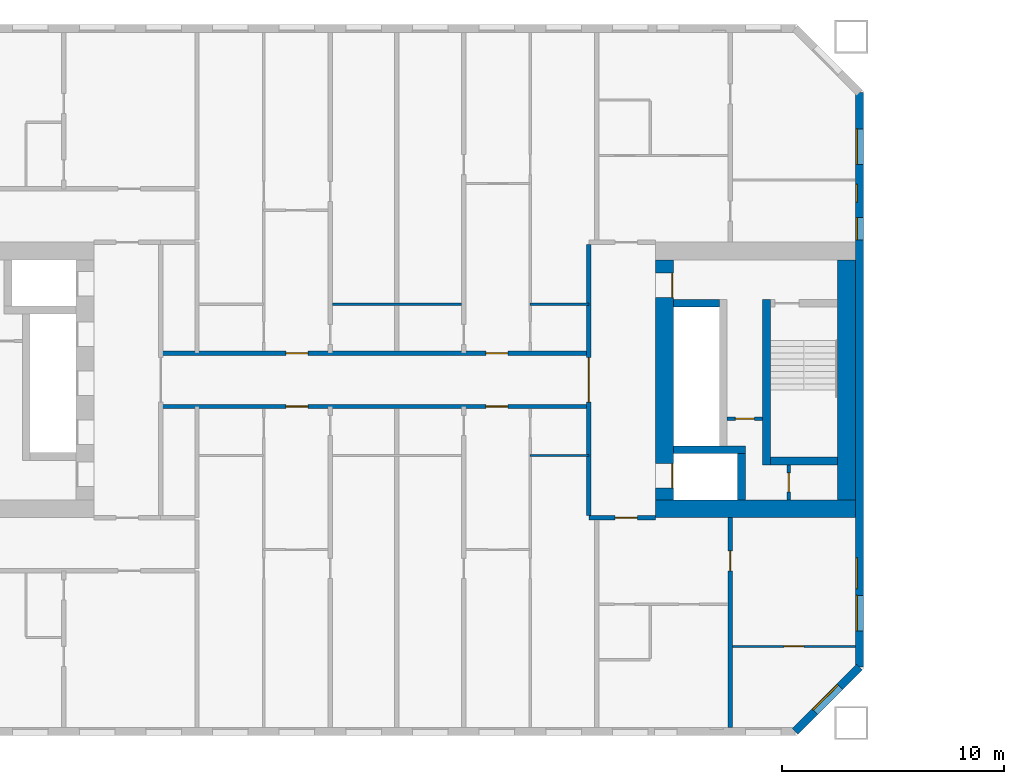
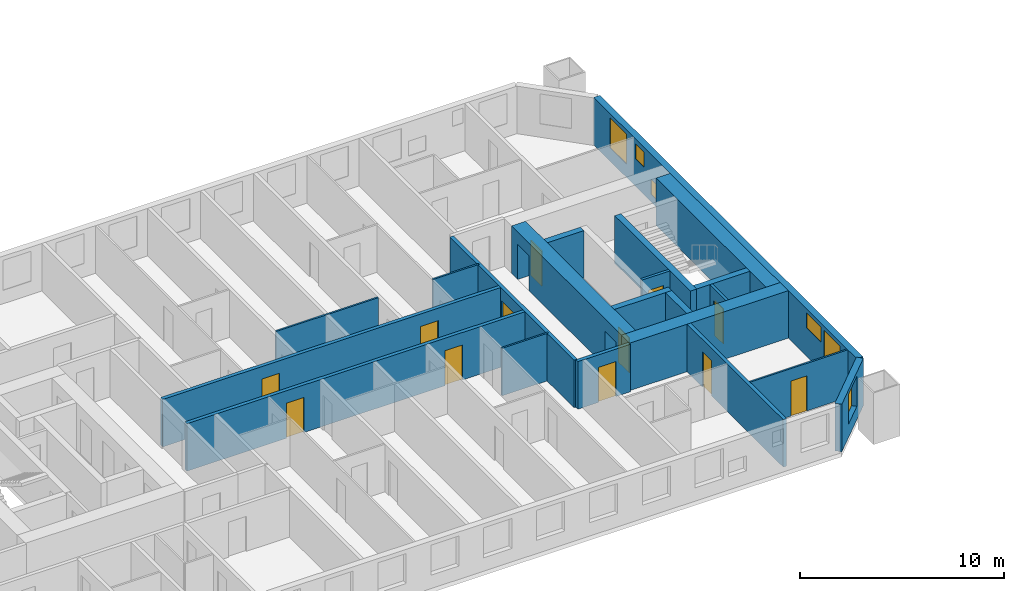
# One storey, part 7 of 17: 21 walls, 12 doors, 6 windows, 18 openings.
"""IFC4 building model written with IfcOpenShell, lengths in metres."""

from ifc_helpers import new_model, si_unit, direction, frame, frame_2d, origin, place, context, subcontext, project, spatial, rectangle, extrude, material, layer, layer_set, type_object, element, fill, save


model = new_model("IFC4")

# Units and contexts
model_context = context("Model", 3, precision=1e-05, world=origin(), true_north=direction((0.0, 1.0)))
body_context = subcontext(model_context, "Body", "Model", "MODEL_VIEW")
ifc_project = project(units=[si_unit("LENGTHUNIT", "METRE"), si_unit("AREAUNIT", "SQUARE_METRE"), si_unit("VOLUMEUNIT", "CUBIC_METRE"), si_unit("PLANEANGLEUNIT", "RADIAN"), si_unit("MASSUNIT", "GRAM", prefix="KILO")], contexts=[model_context])

# Site, building, storey
site_placement = place(None, origin())
site = spatial("IfcSite", under=ifc_project, at=site_placement, CompositionType="ELEMENT")
building_placement = place(site_placement, origin())
building = spatial("IfcBuilding", under=site, at=building_placement, Name="Tuart Gate Housing", CompositionType="ELEMENT")
storey_placement = place(building_placement, frame((0.0, 0.0, 47.39990234375)))
storey = spatial("IfcBuildingStorey", under=building, at=storey_placement, Name="L12", CompositionType="ELEMENT", Elevation=47.39990234375)

# Wall, opening, window
ifc_material_1 = material(Name="Brick", Category="masonry")
ifc_layer_1 = layer(ifc_material_1, 0.360107421875)
ifc_layer_set_1 = layer_set([ifc_layer_1], Name="Brick pier and spandrel wall 360")
wall_type_1 = type_object("IfcWallType", Name="Brick pier and spandrel wall 360", PredefinedType="STANDARD", material=ifc_layer_set_1)
wall_1_placement = place(storey_placement, frame((72.92529296875, 54.179931640625, 0.0), z_axis=(0.0, 0.0, 1.0), x_axis=(0.707106781187, 0.707106781187, 0.0)))
wall_1 = element("IfcWall", 1, at=wall_1_placement, inside=storey, type_object=wall_type_1, Name="External wall A-SE L12", PredefinedType="STANDARD", context=body_context, shape_type="SweptSolid", body=[
    extrude(rectangle(XDim=4.09375, YDim=0.360107421875, at=frame_2d((2.046875, 0.0))), origin(), (0.0, 0.0, 1.0), 2.85009765625),
])
opening_1_placement = place(wall_1_placement, frame((1.2470703125, 0.0, 0.800048828125)))
opening_1 = element("IfcOpeningElement", 2, at=opening_1_placement, cuts=wall_1, Name="Opening W1", PredefinedType="OPENING", context=body_context, shape_type="SweptSolid", body=[
    extrude(rectangle(XDim=1.60009765625, YDim=1.800048828125, at=frame_2d((0.800048828125, 0.89990234375))), frame((0.0, 0.18994140625, 0.0), z_axis=(0.0, -1.0, 0.0), x_axis=(1.0, 0.0, 0.0)), (0.0, 0.0, 1.0), 0.380126953125),
])
ifc_material_2 = material(Name="Aluminium frame with clear glass", Category="aluminium")
window_type_1 = type_object("IfcWindowType", Name="Punched window 1600 x 1800", PartitioningType="SINGLE_PANEL", PredefinedType="WINDOW", material=ifc_material_2)
window_1_placement = place(opening_1_placement, origin())
window_1 = element("IfcWindow", 3, at=window_1_placement, inside=storey, type_object=window_type_1, Name="Window W1", OverallHeight=1.800048828125, OverallWidth=1.60009765625, PartitioningType="SINGLE_PANEL", PredefinedType="WINDOW", context=body_context, shape_type="SweptSolid", body=[
    extrude(rectangle(XDim=1.60009765625, YDim=1.800048828125, at=frame_2d((0.800048828125, 0.89990234375))), frame((0.0, 0.150146484375, 0.0), z_axis=(0.0, -1.0, 0.0), x_axis=(1.0, 0.0, 0.0)), (0.0, 0.0, 1.0), 0.06005859375),
])
fill(opening_1, window_1)

# Wall, openings, windows
wall_2_placement = place(storey_placement, frame((75.820068359375, 57.07470703125, 0.0), z_axis=(0.0, 0.0, 1.0), x_axis=(0.0, 1.0, 0.0)))
wall_2 = element("IfcWall", 4, at=wall_2_placement, inside=storey, type_object=wall_type_1, Name="External wall A-E L12", PredefinedType="STANDARD", context=body_context, shape_type="SweptSolid", body=[
    extrude(rectangle(XDim=25.850830078125, YDim=0.360107421875, at=frame_2d((12.92529296875, 0.0))), origin(), (0.0, 0.0, 1.0), 2.85009765625),
])
opening_2_placement = place(wall_2_placement, frame((1.62548828125, 0.0, 0.800048828125)))
opening_2 = element("IfcOpeningElement", 5, at=opening_2_placement, cuts=wall_2, Name="Opening W1", PredefinedType="OPENING", context=body_context, shape_type="SweptSolid", body=[
    extrude(rectangle(XDim=1.60009765625, YDim=1.800048828125, at=frame_2d((0.800048828125, 0.89990234375))), frame((0.0, 0.18994140625, 0.0), z_axis=(0.0, -1.0, 0.0), x_axis=(1.0, 0.0, 0.0)), (0.0, 0.0, 1.0), 0.380126953125),
])
opening_3_placement = place(wall_2_placement, frame((3.525390625, 0.0, 1.699951171875)))
opening_3 = element("IfcOpeningElement", 6, at=opening_3_placement, cuts=wall_2, Name="Opening W1S", PredefinedType="OPENING", context=body_context, shape_type="SweptSolid", body=[
    extrude(rectangle(XDim=1.39990234375, YDim=0.89990234375, at=frame_2d((0.699951171875, 0.449951171875))), frame((0.0, 0.18994140625, 0.0), z_axis=(0.0, -1.0, 0.0), x_axis=(1.0, 0.0, 0.0)), (0.0, 0.0, 1.0), 0.380126953125),
])
opening_4_placement = place(wall_2_placement, frame((19.225341796875, 0.0, 0.449951171875)))
opening_4 = element("IfcOpeningElement", 7, at=opening_4_placement, cuts=wall_2, Name="Opening W1U", PredefinedType="OPENING", context=body_context, shape_type="SweptSolid", body=[
    extrude(rectangle(XDim=1.0, YDim=0.89990234375, at=frame_2d((0.5, 0.449951171875))), frame((0.0, 0.18994140625, 0.0), z_axis=(0.0, -1.0, 0.0), x_axis=(1.0, 0.0, 0.0)), (0.0, 0.0, 1.0), 0.380126953125),
])
opening_5_placement = place(wall_2_placement, frame((22.62548828125, 0.0, 0.800048828125)))
opening_5 = element("IfcOpeningElement", 8, at=opening_5_placement, cuts=wall_2, Name="Opening W1", PredefinedType="OPENING", context=body_context, shape_type="SweptSolid", body=[
    extrude(rectangle(XDim=1.60009765625, YDim=1.800048828125, at=frame_2d((0.800048828125, 0.89990234375))), frame((0.0, 0.18994140625, 0.0), z_axis=(0.0, -1.0, 0.0), x_axis=(1.0, 0.0, 0.0)), (0.0, 0.0, 1.0), 0.380126953125),
])
opening_6_placement = place(wall_2_placement, frame((20.92529296875, 0.0, 1.64990234375)))
opening_6 = element("IfcOpeningElement", 9, at=opening_6_placement, cuts=wall_2, Name="Opening W1V", PredefinedType="OPENING", context=body_context, shape_type="SweptSolid", body=[
    extrude(rectangle(XDim=0.800048828125, YDim=0.89990234375, at=frame_2d((0.39990234375, 0.449951171875))), frame((0.0, 0.18994140625, 0.0), z_axis=(0.0, -1.0, 0.0), x_axis=(1.0, 0.0, 0.0)), (0.0, 0.0, 1.0), 0.380126953125),
])
ifc_material_3 = material(Name="Aluminium frame with clear glass", Category="aluminium")
window_type_2 = type_object("IfcWindowType", Name="Punched window 1000 x 900", PartitioningType="SINGLE_PANEL", PredefinedType="WINDOW", material=ifc_material_3)
window_2_placement = place(opening_4_placement, origin())
window_2 = element("IfcWindow", 10, at=window_2_placement, inside=storey, type_object=window_type_2, Name="Window W1U", OverallHeight=0.89990234375, OverallWidth=1.0, PartitioningType="SINGLE_PANEL", PredefinedType="WINDOW", context=body_context, shape_type="SweptSolid", body=[
    extrude(rectangle(XDim=1.0, YDim=0.89990234375, at=frame_2d((0.5, 0.449951171875))), frame((0.0, 0.150146484375, 0.0), z_axis=(0.0, -1.0, 0.0), x_axis=(1.0, 0.0, 0.0)), (0.0, 0.0, 1.0), 0.06005859375),
])
fill(opening_4, window_2)
ifc_material_4 = material(Name="Aluminium frame with clear glass", Category="aluminium")
window_type_3 = type_object("IfcWindowType", Name="Punched window 1400 x 900", PartitioningType="SINGLE_PANEL", PredefinedType="WINDOW", material=ifc_material_4)
window_3_placement = place(opening_3_placement, origin())
window_3 = element("IfcWindow", 11, at=window_3_placement, inside=storey, type_object=window_type_3, Name="Window W1S", OverallHeight=0.89990234375, OverallWidth=1.39990234375, PartitioningType="SINGLE_PANEL", PredefinedType="WINDOW", context=body_context, shape_type="SweptSolid", body=[
    extrude(rectangle(XDim=1.39990234375, YDim=0.89990234375, at=frame_2d((0.699951171875, 0.449951171875))), frame((0.0, 0.150146484375, 0.0), z_axis=(0.0, -1.0, 0.0), x_axis=(1.0, 0.0, 0.0)), (0.0, 0.0, 1.0), 0.06005859375),
])
fill(opening_3, window_3)
window_4_placement = place(opening_2_placement, origin())
window_4 = element("IfcWindow", 12, at=window_4_placement, inside=storey, type_object=window_type_1, Name="Window W1", OverallHeight=1.800048828125, OverallWidth=1.60009765625, PartitioningType="SINGLE_PANEL", PredefinedType="WINDOW", context=body_context, shape_type="SweptSolid", body=[
    extrude(rectangle(XDim=1.60009765625, YDim=1.800048828125, at=frame_2d((0.800048828125, 0.89990234375))), frame((0.0, 0.150146484375, 0.0), z_axis=(0.0, -1.0, 0.0), x_axis=(1.0, 0.0, 0.0)), (0.0, 0.0, 1.0), 0.06005859375),
])
fill(opening_2, window_4)
window_5_placement = place(opening_5_placement, origin())
window_5 = element("IfcWindow", 13, at=window_5_placement, inside=storey, type_object=window_type_1, Name="Window W1", OverallHeight=1.800048828125, OverallWidth=1.60009765625, PartitioningType="SINGLE_PANEL", PredefinedType="WINDOW", context=body_context, shape_type="SweptSolid", body=[
    extrude(rectangle(XDim=1.60009765625, YDim=1.800048828125, at=frame_2d((0.800048828125, 0.89990234375))), frame((0.0, 0.150146484375, 0.0), z_axis=(0.0, -1.0, 0.0), x_axis=(1.0, 0.0, 0.0)), (0.0, 0.0, 1.0), 0.06005859375),
])
fill(opening_5, window_5)
ifc_material_5 = material(Name="Aluminium frame with clear glass", Category="aluminium")
window_type_4 = type_object("IfcWindowType", Name="Punched window 800 x 900", PartitioningType="SINGLE_PANEL", PredefinedType="WINDOW", material=ifc_material_5)
window_6_placement = place(opening_6_placement, origin())
window_6 = element("IfcWindow", 14, at=window_6_placement, inside=storey, type_object=window_type_4, Name="Window W1V", OverallHeight=0.89990234375, OverallWidth=0.800048828125, PartitioningType="SINGLE_PANEL", PredefinedType="WINDOW", context=body_context, shape_type="SweptSolid", body=[
    extrude(rectangle(XDim=0.800048828125, YDim=0.89990234375, at=frame_2d((0.39990234375, 0.449951171875))), frame((0.0, 0.150146484375, 0.0), z_axis=(0.0, -1.0, 0.0), x_axis=(1.0, 0.0, 0.0)), (0.0, 0.0, 1.0), 0.06005859375),
])
fill(opening_6, window_6)

# Wall, opening, door
ifc_material_6 = material(Name="Plasterboard partition")
ifc_layer_2 = layer(ifc_material_6, 0.14990234375)
ifc_layer_set_2 = layer_set([ifc_layer_2], Name="Core partition 150")
wall_type_2 = type_object("IfcWallType", Name="Core partition 150", PredefinedType="PARTITIONING", material=ifc_layer_set_2)
wall_3_placement = place(storey_placement, frame((69.864990234375, 68.25, 0.0), z_axis=(0.0, 0.0, 1.0), x_axis=(1.0, 0.0, 0.0)))
wall_3 = element("IfcWall", 15, at=wall_3_placement, inside=storey, type_object=wall_type_2, Name="Core partition AG.3", PredefinedType="PARTITIONING", context=body_context, shape_type="SweptSolid", body=[
    extrude(rectangle(XDim=1.60009765625, YDim=0.14990234375, at=frame_2d((0.800048828125, 0.0))), origin(), (0.0, 0.0, 1.0), 2.85009765625),
])
opening_7_placement = place(wall_3_placement, frame((0.375, 0.0, 0.0)))
opening_7 = element("IfcOpeningElement", 16, at=opening_7_placement, cuts=wall_3, Name="Opening D628", PredefinedType="OPENING", context=body_context, shape_type="SweptSolid", body=[
    extrude(rectangle(XDim=0.85009765625, YDim=2.10009765625, at=frame_2d((0.425048828125, 1.050048828125))), frame((0.0, 0.0849609375, 0.0), z_axis=(0.0, -1.0, 0.0), x_axis=(1.0, 0.0, 0.0)), (0.0, 0.0, 1.0), 0.169921875),
])
ifc_material_7 = material(Name="Steel fire door", Category="steel")
door_type_1 = type_object("IfcDoorType", Name="Riser door 850 x 2100 RH", OperationType="SINGLE_SWING_RIGHT", PredefinedType="DOOR", material=ifc_material_7)
door_1_placement = place(opening_7_placement, frame((0.85009765625, 0.0, 0.0), z_axis=(0.0, 0.0, 1.0), x_axis=(-1.0, 0.0, 0.0)))
door_1 = element("IfcDoor", 17, at=door_1_placement, inside=storey, type_object=door_type_1, Name="Service room door AG.E1", OperationType="SINGLE_SWING_RIGHT", OverallHeight=2.10009765625, OverallWidth=0.85009765625, PredefinedType="DOOR", context=body_context, shape_type="SweptSolid", body=[
    extrude(rectangle(XDim=0.85009765625, YDim=2.10009765625, at=frame_2d((0.425048828125, 1.050048828125))), frame((0.0, 0.025146484375, 0.0), z_axis=(0.0, -1.0, 0.0), x_axis=(1.0, 0.0, 0.0)), (0.0, 0.0, 1.0), 0.050048828125),
])
fill(opening_7, door_1)

wall_4_placement = place(storey_placement, frame((72.639892578125, 64.60009765625, 0.0), z_axis=(0.0, 0.0, 1.0), x_axis=(0.0, 1.0, 0.0)))
wall_4 = element("IfcWall", 18, at=wall_4_placement, inside=storey, type_object=wall_type_2, Name="Core partition AG.9", PredefinedType="PARTITIONING", context=body_context, shape_type="SweptSolid", body=[
    extrude(rectangle(XDim=1.574951171875, YDim=0.14990234375, at=frame_2d((0.78759765625, 0.0))), origin(), (0.0, 0.0, 1.0), 2.85009765625),
])
opening_8_placement = place(wall_4_placement, frame((0.362548828125, 0.0, 0.0)))
opening_8 = element("IfcOpeningElement", 19, at=opening_8_placement, cuts=wall_4, Name="Opening D630", PredefinedType="OPENING", context=body_context, shape_type="SweptSolid", body=[
    extrude(rectangle(XDim=0.85009765625, YDim=2.10009765625, at=frame_2d((0.425048828125, 1.050048828125))), frame((0.0, 0.0849609375, 0.0), z_axis=(0.0, -1.0, 0.0), x_axis=(1.0, 0.0, 0.0)), (0.0, 0.0, 1.0), 0.169921875),
])
ifc_material_8 = material(Name="Steel fire door", Category="steel")
door_type_2 = type_object("IfcDoorType", Name="Service door 850 x 2100", OperationType="SINGLE_SWING_LEFT", PredefinedType="DOOR", material=ifc_material_8)
door_2_placement = place(opening_8_placement, origin())
door_2 = element("IfcDoor", 20, at=door_2_placement, inside=storey, type_object=door_type_2, Name="Service room door AG.E2", OperationType="SINGLE_SWING_LEFT", OverallHeight=2.10009765625, OverallWidth=0.85009765625, PredefinedType="DOOR", context=body_context, shape_type="SweptSolid", body=[
    extrude(rectangle(XDim=0.85009765625, YDim=2.10009765625, at=frame_2d((0.425048828125, 1.050048828125))), frame((0.0, 0.02490234375, 0.0), z_axis=(0.0, -1.0, 0.0), x_axis=(1.0, 0.0, 0.0)), (0.0, 0.0, 1.0), 0.050048828125),
])
fill(opening_8, door_2)

# Walls
ifc_material_9 = material(Name="Concrete C60", Category="concrete")
ifc_layer_3 = layer(ifc_material_9, 0.35009765625)
ifc_layer_set_3 = layer_set([ifc_layer_3], Name="Core wall 350 C60")
wall_type_3 = type_object("IfcWallType", Name="Core wall 350 C60", PredefinedType="SHEAR", material=ifc_layer_set_3)
wall_5_placement = place(storey_placement, frame((71.81494140625, 66.35009765625, 0.0), z_axis=(0.0, 0.0, 1.0), x_axis=(1.0, 0.0, 0.0)))
element("IfcWall", 21, at=wall_5_placement, inside=storey, type_object=wall_type_3, Name="Core wall AG.1", PredefinedType="SHEAR", context=body_context, shape_type="SweptSolid", body=[
    extrude(rectangle(XDim=3.025146484375, YDim=0.35009765625, at=frame_2d((1.5126953125, 0.0))), origin(), (0.0, 0.0, 1.0), 2.85009765625),
])
wall_6_placement = place(storey_placement, frame((67.43994140625, 66.85009765625, 0.0), z_axis=(0.0, 0.0, 1.0), x_axis=(1.0, 0.0, 0.0)))
element("IfcWall", 22, at=wall_6_placement, inside=storey, type_object=wall_type_3, Name="Core wall AG.2", PredefinedType="SHEAR", context=body_context, shape_type="SweptSolid", body=[
    extrude(rectangle(XDim=3.2451171875, YDim=0.35009765625, at=frame_2d((1.62255859375, 0.0))), origin(), (0.0, 0.0, 1.0), 2.85009765625),
])
for number, where, z_axis, x_axis, name in (
    (23, (67.43994140625, 73.449951171875, 0.0), (0.0, 0.0, 1.0), (1.0, 0.0, 0.0), "Core wall AG.4"),
    (24, (70.510009765625, 64.60009765625, 0.0), (0.0, 0.0, 1.0), (0.0, 1.0, 0.0), "Core wall AG.7"),
):
    element("IfcWall", number, at=place(storey_placement, frame(where, z_axis=z_axis, x_axis=x_axis)), inside=storey, type_object=wall_type_3, Name=name, PredefinedType="SHEAR", context=body_context, shape_type="SweptSolid", body=[
        extrude(rectangle(XDim=2.074951171875, YDim=0.35009765625, at=frame_2d((1.03759765625, 0.0))), origin(), (0.0, 0.0, 1.0), 2.85009765625),
    ])
wall_7_placement = place(storey_placement, frame((71.639892578125, 66.175048828125, 0.0), z_axis=(0.0, 0.0, 1.0), x_axis=(0.0, 1.0, 0.0)))
element("IfcWall", 25, at=wall_7_placement, inside=storey, type_object=wall_type_3, Name="Core wall AG.8", PredefinedType="SHEAR", context=body_context, shape_type="SweptSolid", body=[
    extrude(rectangle(XDim=7.449951171875, YDim=0.35009765625, at=frame_2d((3.72509765625, 0.0))), origin(), (0.0, 0.0, 1.0), 2.85009765625),
])

# Wall, openings, doors
ifc_material_10 = material(Name="Concrete C60", Category="concrete")
ifc_layer_4 = layer(ifc_material_10, 0.800048828125)
ifc_layer_set_4 = layer_set([ifc_layer_4], Name="Core wall 800 C60")
wall_type_4 = type_object("IfcWallType", Name="Core wall 800 C60", PredefinedType="SHEAR", material=ifc_layer_set_4)
wall_8_placement = place(storey_placement, frame((67.0400390625, 64.60009765625, 0.0), z_axis=(0.0, 0.0, 1.0), x_axis=(0.0, 1.0, 0.0)))
wall_8 = element("IfcWall", 26, at=wall_8_placement, inside=storey, type_object=wall_type_4, Name="Core wall AG front", PredefinedType="SHEAR", context=body_context, shape_type="SweptSolid", body=[
    extrude(rectangle(XDim=10.7998046875, YDim=0.800048828125, at=frame_2d((5.39990234375, 0.0))), origin(), (0.0, 0.0, 1.0), 2.85009765625),
])
opening_9_placement = place(wall_8_placement, frame((0.52490234375, 0.0, 0.0)))
opening_9 = element("IfcOpeningElement", 27, at=opening_9_placement, cuts=wall_8, Name="Opening LD-FA1", PredefinedType="OPENING", context=body_context, shape_type="SweptSolid", body=[
    extrude(rectangle(XDim=1.10009765625, YDim=2.10009765625, at=frame_2d((0.550048828125, 1.050048828125))), frame((0.0, 0.409912109375, 0.0), z_axis=(0.0, -1.0, 0.0), x_axis=(1.0, 0.0, 0.0)), (0.0, 0.0, 1.0), 0.820068359375),
])
opening_10_placement = place(wall_8_placement, frame((9.10009765625, 0.0, 0.0)))
opening_10 = element("IfcOpeningElement", 28, at=opening_10_placement, cuts=wall_8, Name="Opening D625", PredefinedType="OPENING", context=body_context, shape_type="SweptSolid", body=[
    extrude(rectangle(XDim=1.10009765625, YDim=2.10009765625, at=frame_2d((0.550048828125, 1.050048828125))), frame((0.0, 0.409912109375, 0.0), z_axis=(0.0, -1.0, 0.0), x_axis=(1.0, 0.0, 0.0)), (0.0, 0.0, 1.0), 0.820068359375),
])
ifc_material_11 = material(Name="Stainless steel", Category="steel")
door_type_3 = type_object("IfcDoorType", Name="Landing door 1100 x 2100", OperationType="DOUBLE_DOOR_SLIDING", PredefinedType="DOOR", material=ifc_material_11)
door_3_placement = place(opening_9_placement, origin())
door_3 = element("IfcDoor", 29, at=door_3_placement, inside=storey, type_object=door_type_3, Name="Lift landing door FA1", OperationType="DOUBLE_DOOR_SLIDING", OverallHeight=2.10009765625, OverallWidth=1.10009765625, PredefinedType="DOOR", context=body_context, shape_type="SweptSolid", body=[
    extrude(rectangle(XDim=1.10009765625, YDim=2.10009765625, at=frame_2d((0.550048828125, 1.050048828125))), frame((0.0, -0.3349609375, 0.0), z_axis=(0.0, -1.0, 0.0), x_axis=(1.0, 0.0, 0.0)), (0.0, 0.0, 1.0), 0.050048828125),
])
fill(opening_9, door_3)
ifc_material_12 = material(Name="Steel fire door", Category="steel")
door_type_4 = type_object("IfcDoorType", Name="Lobby door 1100 x 2100 RH", OperationType="SINGLE_SWING_RIGHT", PredefinedType="DOOR", material=ifc_material_12)
door_4_placement = place(opening_10_placement, frame((1.10009765625, 0.0, 0.0), z_axis=(0.0, 0.0, 1.0), x_axis=(-1.0, 0.0, 0.0)))
door_4 = element("IfcDoor", 30, at=door_4_placement, inside=storey, type_object=door_type_4, Name="Lobby entry door AG.EN", OperationType="SINGLE_SWING_RIGHT", OverallHeight=2.10009765625, OverallWidth=1.10009765625, PredefinedType="DOOR", context=body_context, shape_type="SweptSolid", body=[
    extrude(rectangle(XDim=1.10009765625, YDim=2.10009765625, at=frame_2d((0.550048828125, 1.050048828125))), frame((0.0, 0.385009765625, 0.0), z_axis=(0.0, -1.0, 0.0), x_axis=(1.0, 0.0, 0.0)), (0.0, 0.0, 1.0), 0.050048828125),
])
fill(opening_10, door_4)

# Walls
wall_9_placement = place(storey_placement, frame((75.239990234375, 64.60009765625, 0.0), z_axis=(0.0, 0.0, 1.0), x_axis=(0.0, 1.0, 0.0)))
element("IfcWall", 31, at=wall_9_placement, inside=storey, type_object=wall_type_4, Name="Core wall AG back", PredefinedType="SHEAR", context=body_context, shape_type="SweptSolid", body=[
    extrude(rectangle(XDim=10.7998046875, YDim=0.800048828125, at=frame_2d((5.39990234375, 0.0))), origin(), (0.0, 0.0, 1.0), 2.85009765625),
])
wall_10_placement = place(storey_placement, frame((66.639892578125, 64.199951171875, 0.0), z_axis=(0.0, 0.0, 1.0), x_axis=(1.0, 0.0, 0.0)))
element("IfcWall", 32, at=wall_10_placement, inside=storey, type_object=wall_type_4, Name="Core wall AG south", PredefinedType="SHEAR", context=body_context, shape_type="SweptSolid", body=[
    extrude(rectangle(XDim=9.0, YDim=0.800048828125, at=frame_2d((4.5, 0.0))), origin(), (0.0, 0.0, 1.0), 2.85009765625),
])

# Wall, openings, doors
ifc_material_13 = material(Name="Concrete masonry 15 MPa", Category="masonry")
ifc_layer_5 = layer(ifc_material_13, 0.199951171875)
ifc_layer_set_5 = layer_set([ifc_layer_5], Name="Corridor wall masonry 200")
wall_type_5 = type_object("IfcWallType", Name="Corridor wall masonry 200", PredefinedType="PARTITIONING", material=ifc_layer_set_5)
wall_11_placement = place(storey_placement, frame((44.360107421875, 68.800048828125, 0.0), z_axis=(0.0, 0.0, 1.0), x_axis=(1.0, 0.0, 0.0)))
wall_11 = element("IfcWall", 33, at=wall_11_placement, inside=storey, type_object=wall_type_5, Name="Corridor wall masonry 200", PredefinedType="PARTITIONING", context=body_context, shape_type="SweptSolid", body=[
    extrude(rectangle(XDim=19.27978515625, YDim=0.199951171875, at=frame_2d((9.639892578125, 0.0))), origin(), (0.0, 0.0, 1.0), 2.85009765625),
])
opening_11_placement = place(wall_11_placement, frame((14.639892578125, 0.0, 0.0)))
opening_11 = element("IfcOpeningElement", 34, at=opening_11_placement, cuts=wall_11, Name="Opening D626", PredefinedType="OPENING", context=body_context, shape_type="SweptSolid", body=[
    extrude(rectangle(XDim=1.0, YDim=2.10009765625, at=frame_2d((0.5, 1.050048828125))), frame((0.0, 0.10986328125, 0.0), z_axis=(0.0, -1.0, 0.0), x_axis=(1.0, 0.0, 0.0)), (0.0, 0.0, 1.0), 0.219970703125),
])
opening_12_placement = place(wall_11_placement, frame((5.639892578125, 0.0, 0.0)))
opening_12 = element("IfcOpeningElement", 35, at=opening_12_placement, cuts=wall_11, Name="Opening D627", PredefinedType="OPENING", context=body_context, shape_type="SweptSolid", body=[
    extrude(rectangle(XDim=1.0, YDim=2.10009765625, at=frame_2d((0.5, 1.050048828125))), frame((0.0, 0.10986328125, 0.0), z_axis=(0.0, -1.0, 0.0), x_axis=(1.0, 0.0, 0.0)), (0.0, 0.0, 1.0), 0.219970703125),
])
ifc_material_14 = material(Name="Timber door leaf in steel frame", Category="steel")
door_type_5 = type_object("IfcDoorType", Name="Flat entrance door 1000 RH", OperationType="SINGLE_SWING_RIGHT", PredefinedType="DOOR", material=ifc_material_14)
door_5_placement = place(opening_11_placement, frame((1.0, 0.0, 0.0), z_axis=(0.0, 0.0, 1.0), x_axis=(-1.0, 0.0, 0.0)))
door_5 = element("IfcDoor", 36, at=door_5_placement, inside=storey, type_object=door_type_5, Name="Flat entrance door", OperationType="SINGLE_SWING_RIGHT", OverallHeight=2.10009765625, OverallWidth=1.0, PredefinedType="DOOR", context=body_context, shape_type="SweptSolid", body=[
    extrude(rectangle(XDim=1.0, YDim=2.10009765625, at=frame_2d((0.5, 1.050048828125))), frame((0.0, 0.025146484375, 0.0), z_axis=(0.0, -1.0, 0.0), x_axis=(1.0, 0.0, 0.0)), (0.0, 0.0, 1.0), 0.050048828125),
])
fill(opening_11, door_5)
door_6_placement = place(opening_12_placement, frame((1.0, 0.0, 0.0), z_axis=(0.0, 0.0, 1.0), x_axis=(-1.0, 0.0, 0.0)))
door_6 = element("IfcDoor", 37, at=door_6_placement, inside=storey, type_object=door_type_5, Name="Flat entrance door", OperationType="SINGLE_SWING_RIGHT", OverallHeight=2.10009765625, OverallWidth=1.0, PredefinedType="DOOR", context=body_context, shape_type="SweptSolid", body=[
    extrude(rectangle(XDim=1.0, YDim=2.10009765625, at=frame_2d((0.5, 1.050048828125))), frame((0.0, 0.025146484375, 0.0), z_axis=(0.0, -1.0, 0.0), x_axis=(1.0, 0.0, 0.0)), (0.0, 0.0, 1.0), 0.050048828125),
])
fill(opening_12, door_6)

wall_12_placement = place(storey_placement, frame((44.360107421875, 71.199951171875, 0.0), z_axis=(0.0, 0.0, 1.0), x_axis=(1.0, 0.0, 0.0)))
wall_12 = element("IfcWall", 38, at=wall_12_placement, inside=storey, type_object=wall_type_5, Name="Corridor wall masonry 200", PredefinedType="PARTITIONING", context=body_context, shape_type="SweptSolid", body=[
    extrude(rectangle(XDim=19.27978515625, YDim=0.199951171875, at=frame_2d((9.639892578125, 0.0))), origin(), (0.0, 0.0, 1.0), 2.85009765625),
])
opening_13_placement = place(wall_12_placement, frame((14.639892578125, 0.0, 0.0)))
opening_13 = element("IfcOpeningElement", 39, at=opening_13_placement, cuts=wall_12, Name="Opening D617", PredefinedType="OPENING", context=body_context, shape_type="SweptSolid", body=[
    extrude(rectangle(XDim=1.0, YDim=2.10009765625, at=frame_2d((0.5, 1.050048828125))), frame((0.0, 0.10986328125, 0.0), z_axis=(0.0, -1.0, 0.0), x_axis=(1.0, 0.0, 0.0)), (0.0, 0.0, 1.0), 0.219970703125),
])
opening_14_placement = place(wall_12_placement, frame((5.639892578125, 0.0, 0.0)))
opening_14 = element("IfcOpeningElement", 40, at=opening_14_placement, cuts=wall_12, Name="Opening D618", PredefinedType="OPENING", context=body_context, shape_type="SweptSolid", body=[
    extrude(rectangle(XDim=1.0, YDim=2.10009765625, at=frame_2d((0.5, 1.050048828125))), frame((0.0, 0.10986328125, 0.0), z_axis=(0.0, -1.0, 0.0), x_axis=(1.0, 0.0, 0.0)), (0.0, 0.0, 1.0), 0.219970703125),
])
ifc_material_15 = material(Name="Timber door leaf in steel frame", Category="steel")
door_type_6 = type_object("IfcDoorType", Name="Flat entrance door 1000", OperationType="SINGLE_SWING_LEFT", PredefinedType="DOOR", material=ifc_material_15)
door_7_placement = place(opening_13_placement, origin())
door_7 = element("IfcDoor", 41, at=door_7_placement, inside=storey, type_object=door_type_6, Name="Flat entrance door", OperationType="SINGLE_SWING_LEFT", OverallHeight=2.10009765625, OverallWidth=1.0, PredefinedType="DOOR", context=body_context, shape_type="SweptSolid", body=[
    extrude(rectangle(XDim=1.0, YDim=2.10009765625, at=frame_2d((0.5, 1.050048828125))), frame((0.0, 0.02490234375, 0.0), z_axis=(0.0, -1.0, 0.0), x_axis=(1.0, 0.0, 0.0)), (0.0, 0.0, 1.0), 0.050048828125),
])
fill(opening_13, door_7)
door_8_placement = place(opening_14_placement, origin())
door_8 = element("IfcDoor", 42, at=door_8_placement, inside=storey, type_object=door_type_6, Name="Flat entrance door", OperationType="SINGLE_SWING_LEFT", OverallHeight=2.10009765625, OverallWidth=1.0, PredefinedType="DOOR", context=body_context, shape_type="SweptSolid", body=[
    extrude(rectangle(XDim=1.0, YDim=2.10009765625, at=frame_2d((0.5, 1.050048828125))), frame((0.0, 0.02490234375, 0.0), z_axis=(0.0, -1.0, 0.0), x_axis=(1.0, 0.0, 0.0)), (0.0, 0.0, 1.0), 0.050048828125),
])
fill(opening_14, door_8)

# Wall, opening, door
ifc_material_16 = material(Name="Concrete masonry 15 MPa", Category="masonry")
ifc_layer_6 = layer(ifc_material_16, 0.199951171875)
ifc_layer_set_6 = layer_set([ifc_layer_6], Name="Enclosure wall masonry 200")
wall_type_6 = type_object("IfcWallType", Name="Enclosure wall masonry 200", PredefinedType="PARTITIONING", material=ifc_layer_set_6)
wall_13_placement = place(storey_placement, frame((63.639892578125, 63.800048828125, 0.0), z_axis=(0.0, 0.0, 1.0), x_axis=(1.0, 0.0, 0.0)))
wall_13 = element("IfcWall", 43, at=wall_13_placement, inside=storey, type_object=wall_type_6, Name="Enclosure wall masonry 200", PredefinedType="PARTITIONING", context=body_context, shape_type="SweptSolid", body=[
    extrude(rectangle(XDim=3.0, YDim=0.199951171875, at=frame_2d((1.5, 0.0))), origin(), (0.0, 0.0, 1.0), 2.85009765625),
])
opening_15_placement = place(wall_13_placement, frame((1.179931640625, 0.0, 0.0)))
opening_15 = element("IfcOpeningElement", 44, at=opening_15_placement, cuts=wall_13, Name="Opening D633", PredefinedType="OPENING", context=body_context, shape_type="SweptSolid", body=[
    extrude(rectangle(XDim=1.0, YDim=2.10009765625, at=frame_2d((0.5, 1.050048828125))), frame((0.0, 0.10986328125, 0.0), z_axis=(0.0, -1.0, 0.0), x_axis=(1.0, 0.0, 0.0)), (0.0, 0.0, 1.0), 0.219970703125),
])
door_9_placement = place(opening_15_placement, frame((1.0, 0.0, 0.0), z_axis=(0.0, 0.0, 1.0), x_axis=(-1.0, 0.0, 0.0)))
door_9 = element("IfcDoor", 45, at=door_9_placement, inside=storey, type_object=door_type_5, Name="Flat entrance door", OperationType="SINGLE_SWING_RIGHT", OverallHeight=2.10009765625, OverallWidth=1.0, PredefinedType="DOOR", context=body_context, shape_type="SweptSolid", body=[
    extrude(rectangle(XDim=1.0, YDim=2.10009765625, at=frame_2d((0.5, 1.050048828125))), frame((0.0, 0.025146484375, 0.0), z_axis=(0.0, -1.0, 0.0), x_axis=(1.0, 0.0, 0.0)), (0.0, 0.0, 1.0), 0.050048828125),
])
fill(opening_15, door_9)

ifc_material_17 = material(Name="Plasterboard partition")
ifc_layer_7 = layer(ifc_material_17, 0.199951171875)
ifc_layer_set_7 = layer_set([ifc_layer_7], Name="Lobby wall 200")
wall_type_7 = type_object("IfcWallType", Name="Lobby wall 200", PredefinedType="PARTITIONING", material=ifc_layer_set_7)
wall_14_placement = place(storey_placement, frame((63.639892578125, 63.89990234375, 0.0), z_axis=(0.0, 0.0, 1.0), x_axis=(0.0, 1.0, 0.0)))
wall_14 = element("IfcWall", 46, at=wall_14_placement, inside=storey, type_object=wall_type_7, Name="Lift lobby wall AG", PredefinedType="PARTITIONING", context=body_context, shape_type="SweptSolid", body=[
    extrude(rectangle(XDim=12.2001953125, YDim=0.199951171875, at=frame_2d((6.10009765625, 0.0))), origin(), (0.0, 0.0, 1.0), 2.85009765625),
])
opening_16_placement = place(wall_14_placement, frame((5.10009765625, 0.0, 0.0)))
opening_16 = element("IfcOpeningElement", 47, at=opening_16_placement, cuts=wall_14, Name="Opening D624", PredefinedType="OPENING", context=body_context, shape_type="SweptSolid", body=[
    extrude(rectangle(XDim=2.0, YDim=2.10009765625, at=frame_2d((1.0, 1.050048828125))), frame((0.0, 0.10986328125, 0.0), z_axis=(0.0, -1.0, 0.0), x_axis=(1.0, 0.0, 0.0)), (0.0, 0.0, 1.0), 0.219970703125),
])
ifc_material_18 = material(Name="Steel fire door", Category="steel")
door_type_7 = type_object("IfcDoorType", Name="Smoke door 2000 x 2100", OperationType="DOUBLE_DOOR_SINGLE_SWING", PredefinedType="DOOR", material=ifc_material_18)
door_10_placement = place(opening_16_placement, frame((2.0, 0.0, 0.0), z_axis=(0.0, 0.0, 1.0), x_axis=(-1.0, 0.0, 0.0)))
door_10 = element("IfcDoor", 48, at=door_10_placement, inside=storey, type_object=door_type_7, Name="Lift lobby smoke door AG", OperationType="DOUBLE_DOOR_SINGLE_SWING", OverallHeight=2.10009765625, OverallWidth=2.0, PredefinedType="DOOR", context=body_context, shape_type="SweptSolid", body=[
    extrude(rectangle(XDim=2.0, YDim=2.10009765625, at=frame_2d((1.0, 1.050048828125))), frame((0.0, 0.025146484375, 0.0), z_axis=(0.0, -1.0, 0.0), x_axis=(1.0, 0.0, 0.0)), (0.0, 0.0, 1.0), 0.050048828125),
])
fill(opening_16, door_10)

ifc_material_19 = material(Name="Gypsum board on steel studs", Category="steel")
ifc_layer_8 = layer(ifc_material_19, 0.10009765625)
ifc_layer_set_8 = layer_set([ifc_layer_8], Name="Partition 100")
wall_type_8 = type_object("IfcWallType", Name="Partition 100", PredefinedType="PARTITIONING", material=ifc_layer_set_8)
wall_15_placement = place(storey_placement, frame((70.10009765625, 58.0, 0.0), z_axis=(0.0, 0.0, 1.0), x_axis=(1.0, 0.0, 0.0)))
wall_15 = element("IfcWall", 49, at=wall_15_placement, inside=storey, type_object=wall_type_8, Name="Partition 100", PredefinedType="PARTITIONING", context=body_context, shape_type="SweptSolid", body=[
    extrude(rectangle(XDim=5.539794921875, YDim=0.10009765625, at=frame_2d((2.77001953125, 0.0))), origin(), (0.0, 0.0, 1.0), 2.85009765625),
])
opening_17_placement = place(wall_15_placement, frame((2.320068359375, 0.0, 0.0)))
opening_17 = element("IfcOpeningElement", 50, at=opening_17_placement, cuts=wall_15, Name="Opening D651", PredefinedType="OPENING", context=body_context, shape_type="SweptSolid", body=[
    extrude(rectangle(XDim=0.89990234375, YDim=2.10009765625, at=frame_2d((0.449951171875, 1.050048828125))), frame((0.0, 0.06005859375, 0.0), z_axis=(0.0, -1.0, 0.0), x_axis=(1.0, 0.0, 0.0)), (0.0, 0.0, 1.0), 0.1201171875),
])
ifc_material_20 = material(Name="Timber door leaf in steel frame", Category="steel")
door_type_8 = type_object("IfcDoorType", Name="Internal door 900", OperationType="SINGLE_SWING_LEFT", PredefinedType="DOOR", material=ifc_material_20)
door_11_placement = place(opening_17_placement, frame((0.89990234375, 0.0, 0.0), z_axis=(0.0, 0.0, 1.0), x_axis=(-1.0, 0.0, 0.0)))
door_11 = element("IfcDoor", 51, at=door_11_placement, inside=storey, type_object=door_type_8, Name="Internal door", OperationType="SINGLE_SWING_LEFT", OverallHeight=2.10009765625, OverallWidth=0.89990234375, PredefinedType="DOOR", context=body_context, shape_type="SweptSolid", body=[
    extrude(rectangle(XDim=0.89990234375, YDim=2.10009765625, at=frame_2d((0.449951171875, 1.050048828125))), frame((0.0, 0.025146484375, 0.0), z_axis=(0.0, -1.0, 0.0), x_axis=(1.0, 0.0, 0.0)), (0.0, 0.0, 1.0), 0.050048828125),
])
fill(opening_17, door_11)

# Walls
wall_16_placement = place(storey_placement, frame((61.0, 66.60009765625, 0.0), z_axis=(0.0, 0.0, 1.0), x_axis=(1.0, 0.0, 0.0)))
element("IfcWall", 52, at=wall_16_placement, inside=storey, type_object=wall_type_8, Name="Partition 100", PredefinedType="PARTITIONING", context=body_context, shape_type="SweptSolid", body=[
    extrude(rectangle(XDim=2.639892578125, YDim=0.10009765625, at=frame_2d((1.31982421875, 0.0))), origin(), (0.0, 0.0, 1.0), 2.85009765625),
])
wall_17_placement = place(storey_placement, frame((52.10009765625, 73.39990234375, 0.0), z_axis=(0.0, 0.0, 1.0), x_axis=(1.0, 0.0, 0.0)))
element("IfcWall", 53, at=wall_17_placement, inside=storey, type_object=wall_type_8, Name="Partition 100", PredefinedType="PARTITIONING", context=body_context, shape_type="SweptSolid", body=[
    extrude(rectangle(XDim=5.7998046875, YDim=0.10009765625, at=frame_2d((2.89990234375, 0.0))), origin(), (0.0, 0.0, 1.0), 2.85009765625),
])
wall_18_placement = place(storey_placement, frame((61.0, 73.39990234375, 0.0), z_axis=(0.0, 0.0, 1.0), x_axis=(1.0, 0.0, 0.0)))
element("IfcWall", 54, at=wall_18_placement, inside=storey, type_object=wall_type_8, Name="Partition 100", PredefinedType="PARTITIONING", context=body_context, shape_type="SweptSolid", body=[
    extrude(rectangle(XDim=2.639892578125, YDim=0.10009765625, at=frame_2d((1.31982421875, 0.0))), origin(), (0.0, 0.0, 1.0), 2.85009765625),
])

# Wall, opening, door
ifc_material_21 = material(Name="Concrete C40", Category="concrete")
ifc_layer_9 = layer(ifc_material_21, 0.199951171875)
ifc_layer_set_9 = layer_set([ifc_layer_9], Name="Party wall concrete C40 200")
wall_type_9 = type_object("IfcWallType", Name="Party wall concrete C40 200", PredefinedType="SOLIDWALL", material=ifc_layer_set_9)
wall_19_placement = place(storey_placement, frame((70.0, 54.360107421875, 0.0), z_axis=(0.0, 0.0, 1.0), x_axis=(0.0, 1.0, 0.0)))
wall_19 = element("IfcWall", 55, at=wall_19_placement, inside=storey, type_object=wall_type_9, Name="Party wall concrete C40 200", PredefinedType="SOLIDWALL", context=body_context, shape_type="SweptSolid", body=[
    extrude(rectangle(XDim=9.43994140625, YDim=0.199951171875, at=frame_2d((4.719970703125, 0.0))), origin(), (0.0, 0.0, 1.0), 2.85009765625),
])
opening_18_placement = place(wall_19_placement, frame((7.0400390625, 0.0, 0.0)))
opening_18 = element("IfcOpeningElement", 56, at=opening_18_placement, cuts=wall_19, Name="Opening D650", PredefinedType="OPENING", context=body_context, shape_type="SweptSolid", body=[
    extrude(rectangle(XDim=0.89990234375, YDim=2.10009765625, at=frame_2d((0.449951171875, 1.050048828125))), frame((0.0, 0.10986328125, 0.0), z_axis=(0.0, -1.0, 0.0), x_axis=(1.0, 0.0, 0.0)), (0.0, 0.0, 1.0), 0.219970703125),
])
door_12_placement = place(opening_18_placement, origin())
door_12 = element("IfcDoor", 57, at=door_12_placement, inside=storey, type_object=door_type_8, Name="Internal door", OperationType="SINGLE_SWING_LEFT", OverallHeight=2.10009765625, OverallWidth=0.89990234375, PredefinedType="DOOR", context=body_context, shape_type="SweptSolid", body=[
    extrude(rectangle(XDim=0.89990234375, YDim=2.10009765625, at=frame_2d((0.449951171875, 1.050048828125))), frame((0.0, 0.02490234375, 0.0), z_axis=(0.0, -1.0, 0.0), x_axis=(1.0, 0.0, 0.0)), (0.0, 0.0, 1.0), 0.050048828125),
])
fill(opening_18, door_12)

save(model, "model.ifc")
